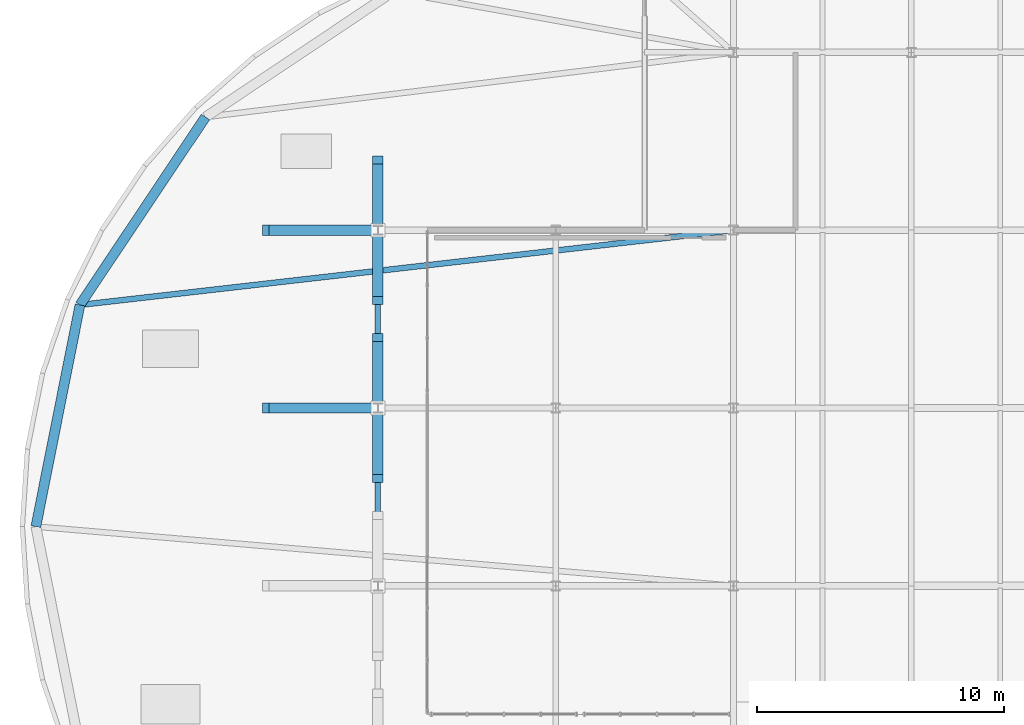
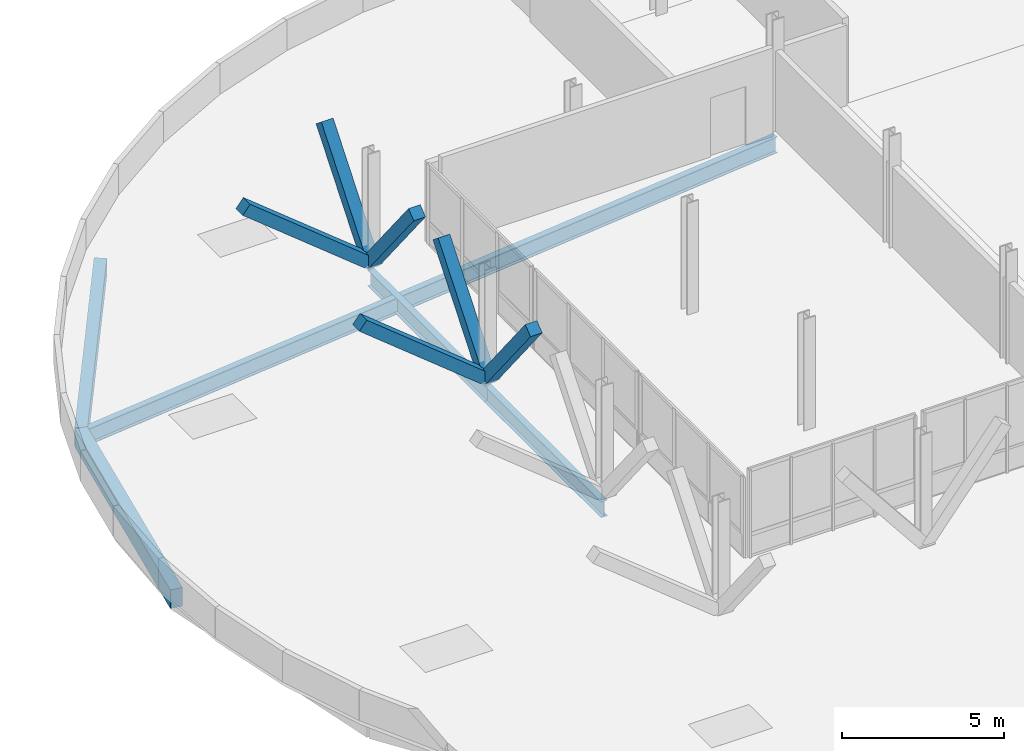
# One storey, part 14 of 102: 6 members, 5 beams.
"""IFC4 building model written with IfcOpenShell, lengths in metres."""

from ifc_helpers import new_model, si_unit, direction, frame, origin, origin_2d, place, context, subcontext, project, spatial, rectangle, i_section, extrude, material, material_profile, profile_set, type_object, element, save


model = new_model("IFC4")

# Units and contexts
model_context = context("Model", 3, precision=1e-05, world=origin(), true_north=direction((0.0, 1.0)))
body_context = subcontext(model_context, "Body", "Model", "MODEL_VIEW")
ifc_project = project(units=[si_unit("LENGTHUNIT", "METRE"), si_unit("AREAUNIT", "SQUARE_METRE"), si_unit("VOLUMEUNIT", "CUBIC_METRE"), si_unit("PLANEANGLEUNIT", "RADIAN"), si_unit("MASSUNIT", "GRAM", prefix="KILO")], contexts=[model_context])

# Site, building, storey
site_placement = place(None, origin())
site = spatial("IfcSite", under=ifc_project, at=site_placement, CompositionType="ELEMENT")
building_placement = place(site_placement, origin())
building = spatial("IfcBuilding", under=site, at=building_placement, Name="Yarey Park Central Fire Station", CompositionType="ELEMENT")
storey_placement = place(building_placement, frame((0.0, 0.0, 6.0)))
storey = spatial("IfcBuildingStorey", under=building, at=storey_placement, Name="L02", CompositionType="ELEMENT", Elevation=6.0)

# Beams
ifc_material_1 = material(Name="Steel ASTM A992 Gr. 50", Category="steel")
ifc_material_profile_1 = material_profile(ifc_material_1, i_section(OverallWidth=0.22900390625, OverallDepth=0.612060546875, WebThickness=0.011962890625, FlangeThickness=0.01953125, at=origin_2d()), Name="W610x125")
ifc_profile_set_1 = profile_set([ifc_material_profile_1], Name="Steel ASTM A992 Gr. 50")
beam_type_1 = type_object("IfcBeamType", Name="STR_BM_W610", PredefinedType="BEAM", material=ifc_profile_set_1)
for number, where, z_axis, x_axis, name in (
    (1, (14.39990234375, 28.800048828125, -0.591064453125), (0.0, 1.0, 0.0), (-1.0, 0.0, 0.0), "DRUM L02 BY14 Y288"),
    (2, (14.39990234375, 36.0, -0.591064453125), (0.0, 1.0, 0.0), (-1.0, 0.0, 0.0), "DRUM L02 BY14 Y360"),
):
    element("IfcBeam", number, at=place(storey_placement, frame(where, z_axis=z_axis, x_axis=x_axis)), inside=storey, type_object=beam_type_1, Name=name, PredefinedType="BEAM", context=body_context, shape_type="SweptSolid", body=[
        extrude(i_section(OverallWidth=0.22900390625, OverallDepth=0.612060546875, WebThickness=0.011962890625, FlangeThickness=0.01953125, at=origin_2d()), origin(), (0.0, 0.0, 1.0), 7.199951171875),
    ])
beam_1_placement = place(storey_placement, frame((2.3349609375, 40.174072265625, -0.594970703125), z_axis=(0.993527176747, 0.113594670055, 0.0), x_axis=(-0.113594670055, 0.993527176747, 0.0)))
element("IfcBeam", 3, at=beam_1_placement, inside=storey, type_object=beam_type_1, Name="BM_V1_RAD_04", PredefinedType="BEAM", context=body_context, shape_type="SweptSolid", body=[
    extrude(i_section(OverallWidth=0.22900390625, OverallDepth=0.612060546875, WebThickness=0.011962890625, FlangeThickness=0.01953125, at=origin_2d()), origin(), (0.0, 0.0, 1.0), 26.637451171875),
])
ifc_material_2 = material(Name="Concrete C40/50", Category="concrete")
ifc_material_profile_2 = material_profile(ifc_material_2, rectangle(XDim=0.39990234375, YDim=0.699951171875, at=origin_2d()), Name="RC 400x700")
ifc_profile_set_2 = profile_set([ifc_material_profile_2], Name="Concrete C40/50")
beam_type_2 = type_object("IfcBeamType", Name="STR_SPN_RC700", PredefinedType="SPANDREL", material=ifc_profile_set_2)
beam_2_placement = place(storey_placement, frame((7.41796875, 47.781982421875, -0.56005859375), z_axis=(-0.555537346878, -0.831491585179, 0.0), x_axis=(0.831491585179, -0.555537346878, 0.0)))
element("IfcBeam", 4, at=beam_2_placement, inside=storey, type_object=beam_type_2, Name="SPN_V1_ARC_03", PredefinedType="SPANDREL", context=body_context, shape_type="SweptSolid", body=[
    extrude(rectangle(XDim=0.39990234375, YDim=0.699951171875, at=origin_2d()), origin(), (0.0, 0.0, 1.0), 9.149658203125),
])
beam_3_placement = place(storey_placement, frame((2.3349609375, 40.174072265625, -0.56005859375), z_axis=(-0.195074388051, -0.980788449731, 0.0), x_axis=(0.980788449731, -0.195074388051, 0.0)))
element("IfcBeam", 5, at=beam_3_placement, inside=storey, type_object=beam_type_2, Name="SPN_V1_ARC_04", PredefinedType="SPANDREL", context=body_context, shape_type="SweptSolid", body=[
    extrude(rectangle(XDim=0.39990234375, YDim=0.699951171875, at=origin_2d()), origin(), (0.0, 0.0, 1.0), 9.14990234375),
])

# Members
ifc_material_3 = material(Name="Glulam GL28h", Category="wood")
ifc_material_profile_3 = material_profile(ifc_material_3, rectangle(XDim=0.419921875, YDim=0.419921875, at=origin_2d()), Name="GL 420x420")
ifc_profile_set_3 = profile_set([ifc_material_profile_3], Name="Glulam GL28h")
member_type = type_object("IfcMemberType", Name="STR_STRUT_GL420", PredefinedType="STRUT", material=ifc_profile_set_3)
for number, where, z_axis, x_axis, name in (
    (6, (14.39990234375, 36.0, -0.02001953125), (0.0, 0.623899588473, 0.781504512785), (-1.0, 0.0, 0.0), "Raked Glulam Strut RGS-15"),
    (7, (14.39990234375, 36.0, -0.02001953125), (0.0, -0.623899588473, 0.781504512785), (1.0, 0.0, 0.0), "Raked Glulam Strut RGS-16"),
):
    element("IfcMember", number, at=place(storey_placement, frame(where, z_axis=z_axis, x_axis=x_axis)), inside=storey, type_object=member_type, Name=name, PredefinedType="STRUT", context=body_context, shape_type="SweptSolid", body=[
        extrude(rectangle(XDim=0.419921875, YDim=0.419921875, at=origin_2d()), origin(), (0.0, 0.0, 1.0), 4.568115234375),
    ])
member_1_placement = place(storey_placement, frame((14.39990234375, 36.0, -0.02001953125), z_axis=(-0.778352467151, 0.0, 0.627827553457), x_axis=(0.0, -1.0, 0.0)))
element("IfcMember", 8, at=member_1_placement, inside=storey, type_object=member_type, Name="Raked Glulam Strut RGS-17", PredefinedType="STRUT", context=body_context, shape_type="SweptSolid", body=[
    extrude(rectangle(XDim=0.419921875, YDim=0.419921875, at=origin_2d()), origin(), (0.0, 0.0, 1.0), 5.845458984375),
])
for number, where, z_axis, x_axis, name in (
    (9, (14.39990234375, 43.199951171875, -0.02001953125), (0.0, 0.623899588473, 0.781504512785), (-1.0, 0.0, 0.0), "Raked Glulam Strut RGS-18"),
    (10, (14.39990234375, 43.199951171875, -0.02001953125), (0.0, -0.623866946252, 0.781530570979), (1.0, 0.0, 0.0), "Raked Glulam Strut RGS-19"),
):
    element("IfcMember", number, at=place(storey_placement, frame(where, z_axis=z_axis, x_axis=x_axis)), inside=storey, type_object=member_type, Name=name, PredefinedType="STRUT", context=body_context, shape_type="SweptSolid", body=[
        extrude(rectangle(XDim=0.419921875, YDim=0.419921875, at=origin_2d()), origin(), (0.0, 0.0, 1.0), 4.568115234375),
    ])
member_2_placement = place(storey_placement, frame((14.39990234375, 43.199951171875, -0.02001953125), z_axis=(-0.778352467151, 0.0, 0.627827553457), x_axis=(0.0, -1.0, 0.0)))
element("IfcMember", 11, at=member_2_placement, inside=storey, type_object=member_type, Name="Raked Glulam Strut RGS-20", PredefinedType="STRUT", context=body_context, shape_type="SweptSolid", body=[
    extrude(rectangle(XDim=0.419921875, YDim=0.419921875, at=origin_2d()), origin(), (0.0, 0.0, 1.0), 5.845458984375),
])

save(model, "model.ifc")
